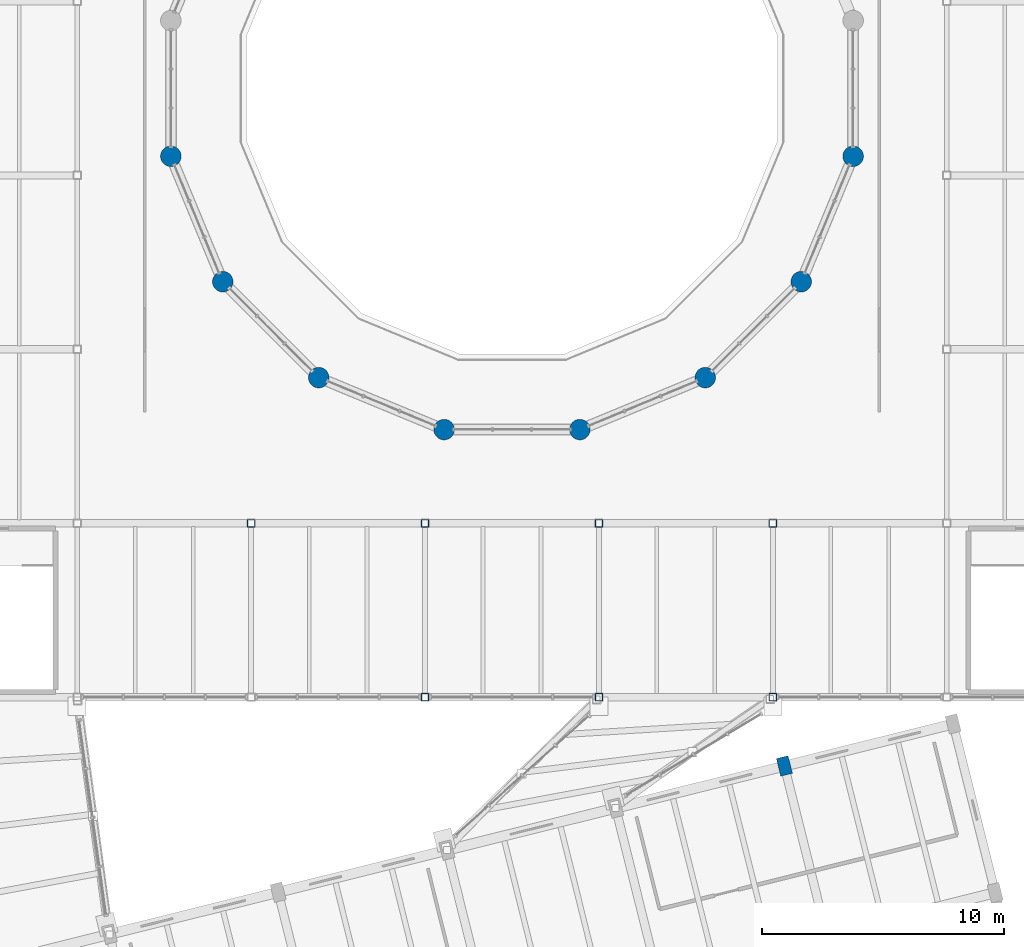
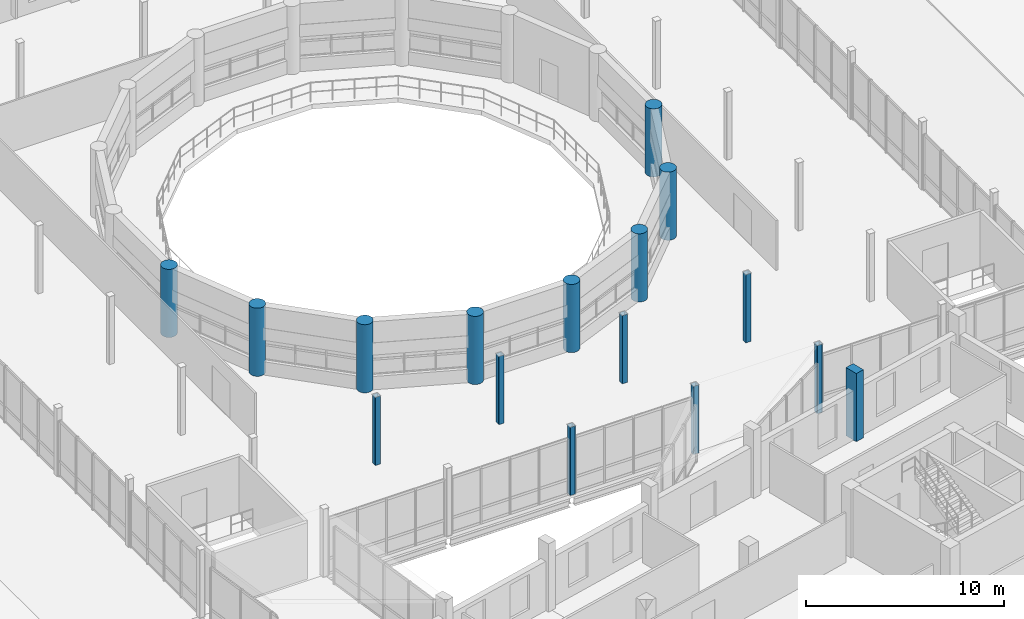
# One storey, part 3 of 63: 16 columns.
"""IFC4 building model written with IfcOpenShell, lengths in metres."""

from ifc_helpers import new_model, si_unit, direction, frame, origin, origin_2d, place, context, subcontext, project, spatial, rectangle, hollow_rectangle, circle, extrude, material, material_profile, profile_set, type_object, element, save


model = new_model("IFC4")

# Units and contexts
model_context = context("Model", 3, precision=1e-05, world=origin(), true_north=direction((0.0, 1.0)))
body_context = subcontext(model_context, "Body", "Model", "MODEL_VIEW")
ifc_project = project(units=[si_unit("LENGTHUNIT", "METRE"), si_unit("AREAUNIT", "SQUARE_METRE"), si_unit("VOLUMEUNIT", "CUBIC_METRE"), si_unit("PLANEANGLEUNIT", "RADIAN"), si_unit("MASSUNIT", "GRAM", prefix="KILO")], contexts=[model_context])

# Site, building, storey
site_placement = place(None, origin())
site = spatial("IfcSite", under=ifc_project, at=site_placement, CompositionType="ELEMENT")
building_placement = place(site_placement, origin())
building = spatial("IfcBuilding", under=site, at=building_placement, Name="Qiaolan Assembly House", CompositionType="ELEMENT")
storey_placement = place(building_placement, frame((0.0, 0.0, 14.39990234375)))
storey = spatial("IfcBuildingStorey", under=building, at=storey_placement, Name="L03", CompositionType="ELEMENT", Elevation=14.39990234375)

# Columns
ifc_material_1 = material(Name="Concrete C45/55", Category="concrete")
ifc_material_profile_1 = material_profile(ifc_material_1, circle(Radius=0.425048828125, at=origin_2d()), Name="CIRC D850")
ifc_profile_set_1 = profile_set([ifc_material_profile_1], Name="Concrete C45/55")
column_type_1 = type_object("IfcColumnType", Name="COL-DRUM-D850", PredefinedType="COLUMN", material=ifc_profile_set_1)
for number, where, z_axis, x_axis, name in (
    (1, (54.276611328125, 58.390625, 0.0), (0.0, 0.0, 1.0), (1.0, 0.0, 0.0), "DC-02 chamber drum pier 9 L03"),
    (2, (56.4267578125, 53.19970703125, 0.0), (0.0, 0.0, 1.0), (1.0, 0.0, 0.0), "DC-02 chamber drum pier 10 L03"),
    (3, (60.39990234375, 49.226806640625, 0.0), (0.0, 0.0, 1.0), (1.0, 0.0, 0.0), "DC-02 chamber drum pier 11 L03"),
    (4, (65.5908203125, 47.07666015625, 0.0), (0.0, 0.0, 1.0), (1.0, 0.0, 0.0), "DC-02 chamber drum pier 12 L03"),
    (5, (71.209228515625, 47.07666015625, 0.0), (0.0, 0.0, 1.0), (1.0, 0.0, 0.0), "DC-02 chamber drum pier 13 L03"),
    (6, (76.400146484375, 49.226806640625, 0.0), (0.0, 0.0, 1.0), (1.0, 0.0, 0.0), "DC-02 chamber drum pier 14 L03"),
    (7, (80.373046875, 53.19970703125, 0.0), (0.0, 0.0, 1.0), (1.0, 0.0, 0.0), "DC-02 chamber drum pier 15 L03"),
    (8, (82.523193359375, 58.390625, 0.0), (0.0, 0.0, 1.0), (1.0, 0.0, 0.0), "DC-02 chamber drum pier 16 L03"),
):
    element("IfcColumn", number, at=place(storey_placement, frame(where, z_axis=z_axis, x_axis=x_axis)), inside=storey, type_object=column_type_1, Name=name, PredefinedType="COLUMN", context=body_context, shape_type="SweptSolid", body=[
        extrude(circle(Radius=0.425048828125, at=origin_2d()), origin(), (0.0, 0.0, 1.0), 4.2001953125),
    ])
ifc_material_profile_2 = material_profile(ifc_material_1, rectangle(XDim=0.5, YDim=0.75, at=origin_2d()), Name="RC 750x500")
ifc_profile_set_2 = profile_set([ifc_material_profile_2], Name="Concrete C45/55")
column_type_2 = type_object("IfcColumnType", Name="COL-RC-750x500", PredefinedType="COLUMN", material=ifc_profile_set_2)
column_placement = place(storey_placement, frame((79.677490234375, 33.1513671875, 0.0), z_axis=(0.0, 0.0, 1.0), x_axis=(0.970295726276, 0.2419218956, 0.0)))
element("IfcColumn", 9, at=column_placement, inside=storey, type_object=column_type_2, Name="RC-15 splayed column SE L03", PredefinedType="COLUMN", context=body_context, shape_type="SweptSolid", body=[
    extrude(rectangle(XDim=0.5, YDim=0.75, at=origin_2d()), origin(), (0.0, 0.0, 1.0), 4.2001953125),
])
ifc_material_2 = material(Name="Steel Q355B", Category="steel")
ifc_material_profile_3 = material_profile(ifc_material_2, hollow_rectangle(XDim=0.31005859375, YDim=0.31005859375, WallThickness=0.011962890625, InnerFilletRadius=0.011962890625, OuterFilletRadius=0.02392578125, at=origin_2d()), Name="SHS 310x310x12")
ifc_profile_set_3 = profile_set([ifc_material_profile_3], Name="Steel Q355B")
column_type_3 = type_object("IfcColumnType", Name="COL-STL-SHS310", PredefinedType="COLUMN", material=ifc_profile_set_3)
for number, where, z_axis, x_axis, name in (
    (10, (57.60009765625, 43.199951171875, 0.0), (0.0, 0.0, 1.0), (1.0, 0.0, 0.0), "SC-10 L03 hall concourse column"),
    (11, (64.800048828125, 36.0, 0.0), (0.0, 0.0, 1.0), (1.0, 0.0, 0.0), "SC-10 L03 hall concourse column"),
    (12, (64.800048828125, 43.199951171875, 0.0), (0.0, 0.0, 1.0), (1.0, 0.0, 0.0), "SC-10 L03 hall concourse column"),
    (13, (72.0, 36.0, 0.0), (0.0, 0.0, 1.0), (1.0, 0.0, 0.0), "SC-10 L03 hall concourse column"),
    (14, (72.0, 43.199951171875, 0.0), (0.0, 0.0, 1.0), (1.0, 0.0, 0.0), "SC-10 L03 hall concourse column"),
    (15, (79.199951171875, 36.0, 0.0), (0.0, 0.0, 1.0), (1.0, 0.0, 0.0), "SC-10 L03 hall concourse column"),
    (16, (79.199951171875, 43.199951171875, 0.0), (0.0, 0.0, 1.0), (1.0, 0.0, 0.0), "SC-10 L03 hall concourse column"),
):
    element("IfcColumn", number, at=place(storey_placement, frame(where, z_axis=z_axis, x_axis=x_axis)), inside=storey, type_object=column_type_3, Name=name, PredefinedType="COLUMN", context=body_context, shape_type="SweptSolid", body=[
        extrude(hollow_rectangle(XDim=0.31005859375, YDim=0.31005859375, WallThickness=0.011962890625, InnerFilletRadius=0.011962890625, OuterFilletRadius=0.02392578125, at=origin_2d()), origin(), (0.0, 0.0, 1.0), 4.2001953125),
    ])

save(model, "model.ifc")
